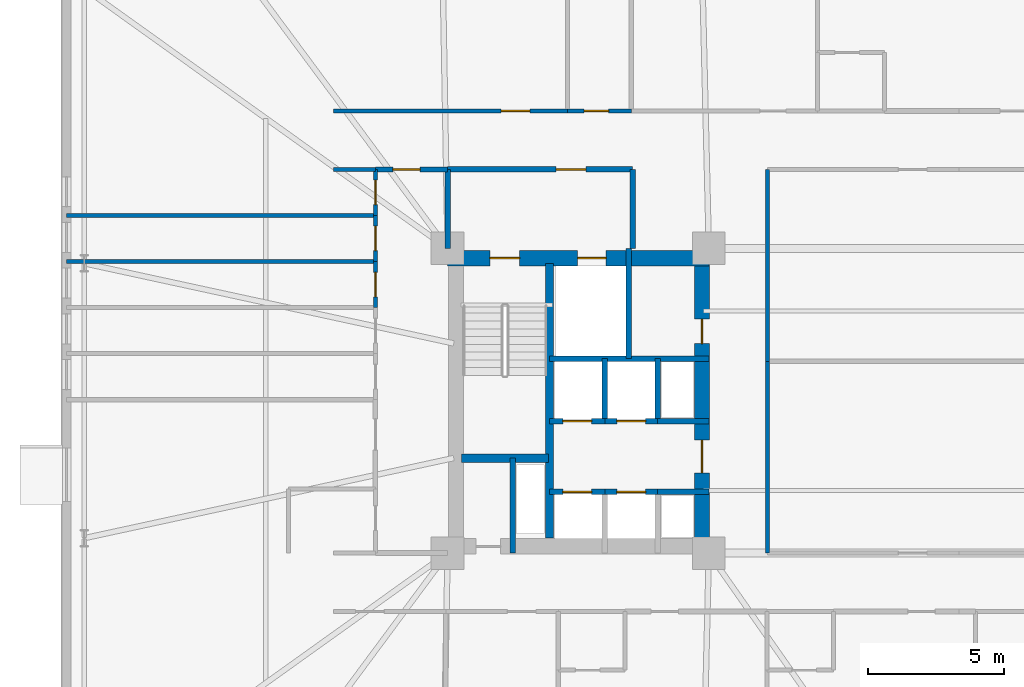
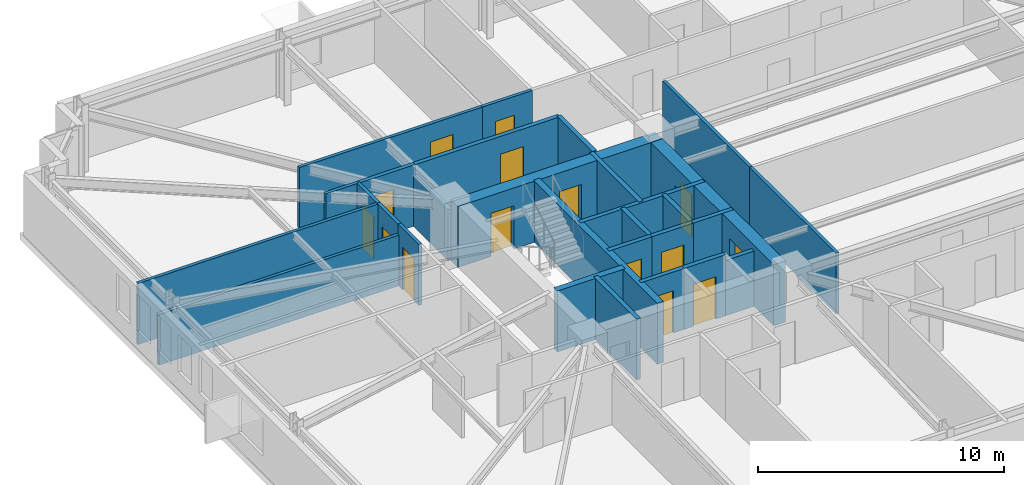
# One storey, part 15 of 21: 29 walls, 15 doors, 15 openings.
"""IFC4 building model written with IfcOpenShell, lengths in metres."""

from ifc_helpers import new_model, si_unit, direction, frame, frame_2d, origin, place, context, subcontext, project, spatial, rectangle, extrude, material, layer, layer_set, type_object, element, fill, save


model = new_model("IFC4")

# Units and contexts
model_context = context("Model", 3, precision=1e-05, world=origin(), true_north=direction((0.0, 1.0)))
body_context = subcontext(model_context, "Body", "Model", "MODEL_VIEW")
ifc_project = project(units=[si_unit("LENGTHUNIT", "METRE"), si_unit("AREAUNIT", "SQUARE_METRE"), si_unit("VOLUMEUNIT", "CUBIC_METRE"), si_unit("PLANEANGLEUNIT", "RADIAN"), si_unit("MASSUNIT", "GRAM", prefix="KILO")], contexts=[model_context])

# Site, building, storey
site_placement = place(None, origin())
site = spatial("IfcSite", under=ifc_project, at=site_placement, CompositionType="ELEMENT")
building_placement = place(site_placement, origin())
building = spatial("IfcBuilding", under=site, at=building_placement, Name="Qobustan Lattice House", CompositionType="ELEMENT")
storey_placement = place(building_placement, frame((0.0, 0.0, 37.050048828125)))
storey = spatial("IfcBuildingStorey", under=building, at=storey_placement, Name="L09", CompositionType="ELEMENT", Elevation=37.050048828125)

# Wall, openings, doors
ifc_material_1 = material(Name="Concrete C60/75", Category="concrete")
ifc_layer_1 = layer(ifc_material_1, 0.56005859375)
ifc_layer_set_1 = layer_set([ifc_layer_1], Name="Concrete C60/75")
wall_type_1 = type_object("IfcWallType", Name="WAL-CORE-600", PredefinedType="SHEAR", material=ifc_layer_set_1)
wall_1_placement = place(storey_placement, frame((-18.800048828125, 5.239990234375, 0.0), z_axis=(0.0, 0.0, 1.0), x_axis=(1.0, 0.0, 0.0)))
wall_1 = element("IfcWall", 1, at=wall_1_placement, inside=storey, type_object=wall_type_1, Name="L09 split-core shear wall CW-N", PredefinedType="SHEAR", context=body_context, shape_type="SweptSolid", body=[
    extrude(rectangle(XDim=9.60009765625, YDim=0.56005859375, at=frame_2d((4.800048828125, 0.0))), origin(), (0.0, 0.0, 1.0), 3.034912109375),
])
opening_1_placement = place(wall_1_placement, frame((1.550048828125, 0.0, 0.0)))
opening_1 = element("IfcOpeningElement", 2, at=opening_1_placement, cuts=wall_1, Name="Opening SD-01", PredefinedType="OPENING", context=body_context, shape_type="SweptSolid", body=[
    extrude(rectangle(XDim=1.10009765625, YDim=2.14990234375, at=frame_2d((0.550048828125, 1.074951171875))), frame((0.0, 0.2900390625, 0.0), z_axis=(0.0, -1.0, 0.0), x_axis=(1.0, 0.0, 0.0)), (0.0, 0.0, 1.0), 0.580078125),
])
opening_2_placement = place(wall_1_placement, frame((4.77490234375, 0.0, 0.0)))
opening_2 = element("IfcOpeningElement", 3, at=opening_2_placement, cuts=wall_1, Name="Opening LD-01", PredefinedType="OPENING", context=body_context, shape_type="SweptSolid", body=[
    extrude(rectangle(XDim=1.050048828125, YDim=2.10009765625, at=frame_2d((0.52490234375, 1.050048828125))), frame((0.0, 0.2900390625, 0.0), z_axis=(0.0, -1.0, 0.0), x_axis=(1.0, 0.0, 0.0)), (0.0, 0.0, 1.0), 0.580078125),
])
ifc_material_2 = material(Name="Persian walnut timber and steel frame door", Category="steel")
door_type_1 = type_object("IfcDoorType", Name="DOR-LIFT-LD-1050x2100", OperationType="NOTDEFINED", PredefinedType="DOOR", material=ifc_material_2)
door_1_placement = place(opening_2_placement, origin())
door_1 = element("IfcDoor", 4, at=door_1_placement, inside=storey, type_object=door_type_1, Name="L09 firefighting lift FF-W landing door", OperationType="DOUBLE_DOOR_SLIDING", OverallHeight=2.10009765625, OverallWidth=1.050048828125, PredefinedType="DOOR", context=body_context, shape_type="SweptSolid", body=[
    extrude(rectangle(XDim=1.050048828125, YDim=2.10009765625, at=frame_2d((0.52490234375, 1.050048828125))), frame((0.0, 0.02490234375, 0.0), z_axis=(0.0, -1.0, 0.0), x_axis=(1.0, 0.0, 0.0)), (0.0, 0.0, 1.0), 0.050048828125),
])
fill(opening_2, door_1)
ifc_material_3 = material(Name="Persian walnut timber and steel frame door", Category="steel")
door_type_2 = type_object("IfcDoorType", Name="DOR-STAIR-FD-1100x2150", OperationType="NOTDEFINED", PredefinedType="DOOR", material=ifc_material_3)
door_2_placement = place(opening_1_placement, origin())
door_2 = element("IfcDoor", 5, at=door_2_placement, inside=storey, type_object=door_type_2, Name="L09 exit stair ST-W1 fire door", OperationType="SINGLE_SWING_LEFT", OverallHeight=2.14990234375, OverallWidth=1.10009765625, PredefinedType="DOOR", context=body_context, shape_type="SweptSolid", body=[
    extrude(rectangle(XDim=1.10009765625, YDim=2.14990234375, at=frame_2d((0.550048828125, 1.074951171875))), frame((0.0, 0.02490234375, 0.0), z_axis=(0.0, -1.0, 0.0), x_axis=(1.0, 0.0, 0.0)), (0.0, 0.0, 1.0), 0.050048828125),
])
fill(opening_1, door_2)

wall_2_placement = place(storey_placement, frame((-9.449951171875, -5.050048828125, 0.0), z_axis=(0.0, 0.0, 1.0), x_axis=(0.0, 1.0, 0.0)))
wall_2 = element("IfcWall", 6, at=wall_2_placement, inside=storey, type_object=wall_type_1, Name="L09 split-core shear wall CW-E", PredefinedType="SHEAR", context=body_context, shape_type="SweptSolid", body=[
    extrude(rectangle(XDim=10.10009765625, YDim=0.56005859375, at=frame_2d((5.050048828125, 0.0))), origin(), (0.0, 0.0, 1.0), 3.034912109375),
])
opening_3_placement = place(wall_2_placement, frame((7.14990234375, 0.0, 0.0)))
opening_3 = element("IfcOpeningElement", 7, at=opening_3_placement, cuts=wall_2, Name="Opening RD-01", PredefinedType="OPENING", context=body_context, shape_type="SweptSolid", body=[
    extrude(rectangle(XDim=0.89990234375, YDim=2.10009765625, at=frame_2d((0.449951171875, 1.050048828125))), frame((0.0, 0.2900390625, 0.0), z_axis=(0.0, -1.0, 0.0), x_axis=(1.0, 0.0, 0.0)), (0.0, 0.0, 1.0), 0.580078125),
])
opening_4_placement = place(wall_2_placement, frame((2.39990234375, 0.0, 0.0)))
opening_4 = element("IfcOpeningElement", 8, at=opening_4_placement, cuts=wall_2, Name="Opening FD-01", PredefinedType="OPENING", context=body_context, shape_type="SweptSolid", body=[
    extrude(rectangle(XDim=1.199951171875, YDim=2.14990234375, at=frame_2d((0.60009765625, 1.074951171875))), frame((0.0, 0.2900390625, 0.0), z_axis=(0.0, -1.0, 0.0), x_axis=(1.0, 0.0, 0.0)), (0.0, 0.0, 1.0), 0.580078125),
])
ifc_material_4 = material(Name="Persian walnut timber and steel frame door", Category="steel")
door_type_3 = type_object("IfcDoorType", Name="DOR-LOBBY-FD-1200x2150", OperationType="NOTDEFINED", PredefinedType="DOOR", material=ifc_material_4)
door_3_placement = place(opening_4_placement, origin())
door_3 = element("IfcDoor", 9, at=door_3_placement, inside=storey, type_object=door_type_3, Name="L09 West passenger lift lobby fire door", OperationType="SINGLE_SWING_LEFT", OverallHeight=2.14990234375, OverallWidth=1.199951171875, PredefinedType="DOOR", context=body_context, shape_type="SweptSolid", body=[
    extrude(rectangle(XDim=1.199951171875, YDim=2.14990234375, at=frame_2d((0.60009765625, 1.074951171875))), frame((0.0, 0.02490234375, 0.0), z_axis=(0.0, -1.0, 0.0), x_axis=(1.0, 0.0, 0.0)), (0.0, 0.0, 1.0), 0.050048828125),
])
fill(opening_4, door_3)
ifc_material_5 = material(Name="Persian walnut timber and steel frame door", Category="steel")
door_type_4 = type_object("IfcDoorType", Name="DOR-RISER-FD-900x2100", OperationType="NOTDEFINED", PredefinedType="DOOR", material=ifc_material_5)
door_4_placement = place(opening_3_placement, origin())
door_4 = element("IfcDoor", 10, at=door_4_placement, inside=storey, type_object=door_type_4, Name="L09 Floor tea pantry fire door", OperationType="SINGLE_SWING_RIGHT", OverallHeight=2.10009765625, OverallWidth=0.89990234375, PredefinedType="DOOR", context=body_context, shape_type="SweptSolid", body=[
    extrude(rectangle(XDim=0.89990234375, YDim=2.10009765625, at=frame_2d((0.449951171875, 1.050048828125))), frame((0.0, 0.02490234375, 0.0), z_axis=(0.0, -1.0, 0.0), x_axis=(1.0, 0.0, 0.0)), (0.0, 0.0, 1.0), 0.050048828125),
])
fill(opening_3, door_4)

# Walls
ifc_material_6 = material(Name="Concrete C50/60", Category="concrete")
ifc_layer_2 = layer(ifc_material_6, 0.280029296875)
ifc_layer_set_2 = layer_set([ifc_layer_2], Name="Concrete C50/60")
wall_type_2 = type_object("IfcWallType", Name="WAL-CORE-SPINE-280", PredefinedType="SHEAR", material=ifc_layer_set_2)
wall_3_placement = place(storey_placement, frame((-15.050048828125, -5.050048828125, 0.0), z_axis=(0.0, 0.0, 1.0), x_axis=(0.0, 1.0, 0.0)))
element("IfcWall", 11, at=wall_3_placement, inside=storey, type_object=wall_type_2, Name="L09 split-core shear wall CW-M", PredefinedType="SHEAR", context=body_context, shape_type="SweptSolid", body=[
    extrude(rectangle(XDim=10.10009765625, YDim=0.300048828125, at=frame_2d((5.050048828125, 0.0))), origin(), (0.0, 0.0, 1.0), 3.034912109375),
])
wall_4_placement = place(storey_placement, frame((-18.280029296875, -2.110107421875, 0.0), z_axis=(0.0, 0.0, 1.0), x_axis=(1.0, 0.0, 0.0)))
element("IfcWall", 12, at=wall_4_placement, inside=storey, type_object=wall_type_2, Name="L09 split-core shear wall CW-ST", PredefinedType="SHEAR", context=body_context, shape_type="SweptSolid", body=[
    extrude(rectangle(XDim=3.179931640625, YDim=0.300048828125, at=frame_2d((1.58984375, 0.0))), origin(), (0.0, 0.0, 1.0), 3.034912109375),
])

# Wall, opening, door
ifc_material_7 = material(Name="Gypsum fireboard acoustic partition", Category="gypsum")
ifc_layer_3 = layer(ifc_material_7, 0.179931640625)
ifc_layer_set_3 = layer_set([ifc_layer_3], Name="Gypsum fireboard acoustic partition")
wall_type_3 = type_object("IfcWallType", Name="WAL-FIRE-180", PredefinedType="PARTITIONING", material=ifc_layer_set_3)
wall_5_placement = place(storey_placement, frame((-18.800048828125, 8.5, 0.0), z_axis=(0.0, 0.0, 1.0), x_axis=(-1.0, 0.0, 0.0)))
wall_5 = element("IfcWall", 13, at=wall_5_placement, inside=storey, type_object=wall_type_3, Name="L09 interior partition 37", PredefinedType="PARTITIONING", context=body_context, shape_type="SweptSolid", body=[
    extrude(rectangle(XDim=2.64990234375, YDim=0.179931640625, at=frame_2d((1.324951171875, 0.0))), origin(), (0.0, 0.0, 1.0), 3.034912109375),
])
opening_5_placement = place(wall_5_placement, frame((1.0087890625, 0.0, 0.0)))
opening_5 = element("IfcOpeningElement", 14, at=opening_5_placement, cuts=wall_5, Name="Opening FD-02", PredefinedType="OPENING", context=body_context, shape_type="SweptSolid", body=[
    extrude(rectangle(XDim=1.0, YDim=2.14990234375, at=frame_2d((0.5, 1.074951171875))), frame((0.0, 0.099853515625, 0.0), z_axis=(0.0, -1.0, 0.0), x_axis=(1.0, 0.0, 0.0)), (0.0, 0.0, 1.0), 0.199951171875),
])
ifc_material_8 = material(Name="Persian walnut timber and steel frame door", Category="steel")
door_type_5 = type_object("IfcDoorType", Name="DOR-UNIT-FD-1000x2150", OperationType="NOTDEFINED", PredefinedType="DOOR", material=ifc_material_8)
door_5_placement = place(opening_5_placement, origin())
door_5 = element("IfcDoor", 15, at=door_5_placement, inside=storey, type_object=door_type_5, Name="L09 North-west floor corridor to Residence entrance hall L09W door", OperationType="SINGLE_SWING_RIGHT", OverallHeight=2.14990234375, OverallWidth=1.0, PredefinedType="DOOR", context=body_context, shape_type="SweptSolid", body=[
    extrude(rectangle(XDim=1.0, YDim=2.14990234375, at=frame_2d((0.5, 1.074951171875))), frame((0.0, 0.02490234375, 0.0), z_axis=(0.0, -1.0, 0.0), x_axis=(1.0, 0.0, 0.0)), (0.0, 0.0, 1.0), 0.050048828125),
])
fill(opening_5, door_5)

# Wall
ifc_material_9 = material(Name="Acoustic twin-stud gypsum partition", Category="gypsum")
ifc_layer_4 = layer(ifc_material_9, 0.14990234375)
ifc_layer_set_4 = layer_set([ifc_layer_4], Name="Acoustic twin-stud gypsum partition")
wall_type_4 = type_object("IfcWallType", Name="WAL-PART-150", PredefinedType="PARTITIONING", material=ifc_layer_set_4)
wall_6_placement = place(storey_placement, frame((-21.449951171875, 8.5, 0.0), z_axis=(0.0, 0.0, 1.0), x_axis=(-1.0, 0.0, 0.0)))
element("IfcWall", 16, at=wall_6_placement, inside=storey, type_object=wall_type_4, Name="L09 interior partition 38", PredefinedType="PARTITIONING", context=body_context, shape_type="SweptSolid", body=[
    extrude(rectangle(XDim=1.550048828125, YDim=0.14990234375, at=frame_2d((0.77490234375, 0.0))), origin(), (0.0, 0.0, 1.0), 3.034912109375),
])

# Wall, opening, door
wall_7_placement = place(storey_placement, frame((-23.0, 10.64990234375, 0.0), z_axis=(0.0, 0.0, 1.0), x_axis=(1.0, 0.0, 0.0)))
wall_7 = element("IfcWall", 17, at=wall_7_placement, inside=storey, type_object=wall_type_4, Name="L09 interior partition 39", PredefinedType="PARTITIONING", context=body_context, shape_type="SweptSolid", body=[
    extrude(rectangle(XDim=8.60009765625, YDim=0.14990234375, at=frame_2d((4.300048828125, 0.0))), origin(), (0.0, 0.0, 1.0), 3.034912109375),
])
opening_6_placement = place(wall_7_placement, frame((6.171142578125, 0.0, 0.0)))
opening_6 = element("IfcOpeningElement", 18, at=opening_6_placement, cuts=wall_7, Name="Opening ID-02", PredefinedType="OPENING", context=body_context, shape_type="SweptSolid", body=[
    extrude(rectangle(XDim=1.050048828125, YDim=2.14990234375, at=frame_2d((0.52490234375, 1.074951171875))), frame((0.0, 0.0849609375, 0.0), z_axis=(0.0, -1.0, 0.0), x_axis=(1.0, 0.0, 0.0)), (0.0, 0.0, 1.0), 0.169921875),
])
ifc_material_10 = material(Name="Persian walnut timber and steel frame door", Category="steel")
door_type_6 = type_object("IfcDoorType", Name="DOR-STUDY-1050x2150", OperationType="NOTDEFINED", PredefinedType="DOOR", material=ifc_material_10)
door_6_placement = place(opening_6_placement, origin())
door_6 = element("IfcDoor", 19, at=door_6_placement, inside=storey, type_object=door_type_6, Name="L09 North-west floor corridor to Focus study room N1 door", OperationType="SINGLE_SWING_LEFT", OverallHeight=2.14990234375, OverallWidth=1.050048828125, PredefinedType="DOOR", context=body_context, shape_type="SweptSolid", body=[
    extrude(rectangle(XDim=1.050048828125, YDim=2.14990234375, at=frame_2d((0.52490234375, 1.074951171875))), frame((0.0, 0.02490234375, 0.0), z_axis=(0.0, -1.0, 0.0), x_axis=(1.0, 0.0, 0.0)), (0.0, 0.0, 1.0), 0.050048828125),
])
fill(opening_6, door_6)

# Walls
for number, where, z_axis, x_axis, name in (
    (20, (-7.050048828125, 1.449951171875, 0.0), (0.0, 0.0, 1.0), (0.0, -1.0, 0.0), "L09 interior partition 73"),
    (21, (-7.050048828125, 8.5, 0.0), (0.0, 0.0, 1.0), (0.0, -1.0, 0.0), "L09 interior partition 74"),
):
    element("IfcWall", number, at=place(storey_placement, frame(where, z_axis=z_axis, x_axis=x_axis)), inside=storey, type_object=wall_type_4, Name=name, PredefinedType="PARTITIONING", context=body_context, shape_type="SweptSolid", body=[
        extrude(rectangle(XDim=7.050048828125, YDim=0.14990234375, at=frame_2d((3.52490234375, 0.0))), origin(), (0.0, 0.0, 1.0), 3.034912109375),
    ])

# Wall, opening, door
wall_8_placement = place(storey_placement, frame((-21.449951171875, 3.424072265625, 0.0), z_axis=(0.0, 0.0, 1.0), x_axis=(0.0, 1.0, 0.0)))
wall_8 = element("IfcWall", 22, at=wall_8_placement, inside=storey, type_object=wall_type_4, Name="L09 interior partition 81", PredefinedType="PARTITIONING", context=body_context, shape_type="SweptSolid", body=[
    extrude(rectangle(XDim=1.69189453125, YDim=0.14990234375, at=frame_2d((0.845947265625, 0.0))), origin(), (0.0, 0.0, 1.0), 3.034912109375),
])
opening_7_placement = place(wall_8_placement, frame((0.39599609375, 0.0, 0.0)))
opening_7 = element("IfcOpeningElement", 23, at=opening_7_placement, cuts=wall_8, Name="Opening WD-01", PredefinedType="OPENING", context=body_context, shape_type="SweptSolid", body=[
    extrude(rectangle(XDim=0.89990234375, YDim=2.10009765625, at=frame_2d((0.449951171875, 1.050048828125))), frame((0.0, 0.0849609375, 0.0), z_axis=(0.0, -1.0, 0.0), x_axis=(1.0, 0.0, 0.0)), (0.0, 0.0, 1.0), 0.169921875),
])
ifc_material_11 = material(Name="Persian walnut timber and steel frame door", Category="steel")
door_type_7 = type_object("IfcDoorType", Name="DOR-WET-900x2100", OperationType="NOTDEFINED", PredefinedType="DOOR", material=ifc_material_11)
door_7_placement = place(opening_7_placement, origin())
door_7 = element("IfcDoor", 24, at=door_7_placement, inside=storey, type_object=door_type_7, Name="L09 Residence entrance hall L09W to Cluster bedroom L09W3 door", OperationType="SINGLE_SWING_LEFT", OverallHeight=2.10009765625, OverallWidth=0.89990234375, PredefinedType="DOOR", context=body_context, shape_type="SweptSolid", body=[
    extrude(rectangle(XDim=0.89990234375, YDim=2.10009765625, at=frame_2d((0.449951171875, 1.050048828125))), frame((0.0, 0.02490234375, 0.0), z_axis=(0.0, -1.0, 0.0), x_axis=(1.0, 0.0, 0.0)), (0.0, 0.0, 1.0), 0.050048828125),
])
fill(opening_7, door_7)

wall_9_placement = place(storey_placement, frame((-21.449951171875, 5.115966796875, 0.0), z_axis=(0.0, 0.0, 1.0), x_axis=(0.0, 1.0, 0.0)))
wall_9 = element("IfcWall", 25, at=wall_9_placement, inside=storey, type_object=wall_type_4, Name="L09 interior partition 82", PredefinedType="PARTITIONING", context=body_context, shape_type="SweptSolid", body=[
    extrude(rectangle(XDim=1.692138671875, YDim=0.14990234375, at=frame_2d((0.84619140625, 0.0))), origin(), (0.0, 0.0, 1.0), 3.034912109375),
])
opening_8_placement = place(wall_9_placement, frame((0.39599609375, 0.0, 0.0)))
opening_8 = element("IfcOpeningElement", 26, at=opening_8_placement, cuts=wall_9, Name="Opening WD-01", PredefinedType="OPENING", context=body_context, shape_type="SweptSolid", body=[
    extrude(rectangle(XDim=0.89990234375, YDim=2.10009765625, at=frame_2d((0.449951171875, 1.050048828125))), frame((0.0, 0.0849609375, 0.0), z_axis=(0.0, -1.0, 0.0), x_axis=(1.0, 0.0, 0.0)), (0.0, 0.0, 1.0), 0.169921875),
])
door_8_placement = place(opening_8_placement, origin())
door_8 = element("IfcDoor", 27, at=door_8_placement, inside=storey, type_object=door_type_7, Name="L09 Residence entrance hall L09W to Cluster bedroom L09W4 door", OperationType="SINGLE_SWING_RIGHT", OverallHeight=2.10009765625, OverallWidth=0.89990234375, PredefinedType="DOOR", context=body_context, shape_type="SweptSolid", body=[
    extrude(rectangle(XDim=0.89990234375, YDim=2.10009765625, at=frame_2d((0.449951171875, 1.050048828125))), frame((0.0, 0.02490234375, 0.0), z_axis=(0.0, -1.0, 0.0), x_axis=(1.0, 0.0, 0.0)), (0.0, 0.0, 1.0), 0.050048828125),
])
fill(opening_8, door_8)

wall_10_placement = place(storey_placement, frame((-21.449951171875, 6.80810546875, 0.0), z_axis=(0.0, 0.0, 1.0), x_axis=(0.0, 1.0, 0.0)))
wall_10 = element("IfcWall", 28, at=wall_10_placement, inside=storey, type_object=wall_type_4, Name="L09 interior partition 83", PredefinedType="PARTITIONING", context=body_context, shape_type="SweptSolid", body=[
    extrude(rectangle(XDim=1.69189453125, YDim=0.14990234375, at=frame_2d((0.845947265625, 0.0))), origin(), (0.0, 0.0, 1.0), 3.034912109375),
])
opening_9_placement = place(wall_10_placement, frame((0.39599609375, 0.0, 0.0)))
opening_9 = element("IfcOpeningElement", 29, at=opening_9_placement, cuts=wall_10, Name="Opening WD-01", PredefinedType="OPENING", context=body_context, shape_type="SweptSolid", body=[
    extrude(rectangle(XDim=0.89990234375, YDim=2.10009765625, at=frame_2d((0.449951171875, 1.050048828125))), frame((0.0, 0.0849609375, 0.0), z_axis=(0.0, -1.0, 0.0), x_axis=(1.0, 0.0, 0.0)), (0.0, 0.0, 1.0), 0.169921875),
])
door_9_placement = place(opening_9_placement, origin())
door_9 = element("IfcDoor", 30, at=door_9_placement, inside=storey, type_object=door_type_7, Name="L09 Residence entrance hall L09W to Cluster bedroom L09W5 door", OperationType="SINGLE_SWING_LEFT", OverallHeight=2.10009765625, OverallWidth=0.89990234375, PredefinedType="DOOR", context=body_context, shape_type="SweptSolid", body=[
    extrude(rectangle(XDim=0.89990234375, YDim=2.10009765625, at=frame_2d((0.449951171875, 1.050048828125))), frame((0.0, 0.02490234375, 0.0), z_axis=(0.0, -1.0, 0.0), x_axis=(1.0, 0.0, 0.0)), (0.0, 0.0, 1.0), 0.050048828125),
])
fill(opening_9, door_9)

# Walls
wall_11_placement = place(storey_placement, frame((-32.800048828125, 5.115966796875, 0.0), z_axis=(0.0, 0.0, 1.0), x_axis=(1.0, 0.0, 0.0)))
element("IfcWall", 31, at=wall_11_placement, inside=storey, type_object=wall_type_4, Name="L09 interior partition 89", PredefinedType="PARTITIONING", context=body_context, shape_type="SweptSolid", body=[
    extrude(rectangle(XDim=11.35009765625, YDim=0.14990234375, at=frame_2d((5.675048828125, 0.0))), origin(), (0.0, 0.0, 1.0), 2.52001953125),
])
wall_12_placement = place(storey_placement, frame((-32.800048828125, 6.80810546875, 0.0), z_axis=(0.0, 0.0, 1.0), x_axis=(1.0, 0.0, 0.0)))
element("IfcWall", 32, at=wall_12_placement, inside=storey, type_object=wall_type_4, Name="L09 interior partition 90", PredefinedType="PARTITIONING", context=body_context, shape_type="SweptSolid", body=[
    extrude(rectangle(XDim=11.35009765625, YDim=0.14990234375, at=frame_2d((5.675048828125, 0.0))), origin(), (0.0, 0.0, 1.0), 3.034912109375),
])

# Wall, opening, door
ifc_material_12 = material(Name="Two-hour gypsum fireboard acoustic partition", Category="gypsum")
ifc_layer_5 = layer(ifc_material_12, 0.199951171875)
ifc_layer_set_5 = layer_set([ifc_layer_5], Name="Two-hour gypsum fireboard acoustic partition")
wall_type_5 = type_object("IfcWallType", Name="WAL-PROT-200", PredefinedType="PARTITIONING", material=ifc_layer_set_5)
wall_13_placement = place(storey_placement, frame((-12.0, 8.5, 0.0), z_axis=(0.0, 0.0, 1.0), x_axis=(-1.0, 0.0, 0.0)))
wall_13 = element("IfcWall", 33, at=wall_13_placement, inside=storey, type_object=wall_type_5, Name="L09 interior partition 3", PredefinedType="PARTITIONING", context=body_context, shape_type="SweptSolid", body=[
    extrude(rectangle(XDim=6.800048828125, YDim=0.199951171875, at=frame_2d((3.39990234375, 0.0))), origin(), (0.0, 0.0, 1.0), 3.034912109375),
])
opening_10_placement = place(wall_13_placement, frame((1.715087890625, 0.0, 0.0)))
opening_10 = element("IfcOpeningElement", 34, at=opening_10_placement, cuts=wall_13, Name="Opening SD-01", PredefinedType="OPENING", context=body_context, shape_type="SweptSolid", body=[
    extrude(rectangle(XDim=1.10009765625, YDim=2.14990234375, at=frame_2d((0.550048828125, 1.074951171875))), frame((0.0, 0.10986328125, 0.0), z_axis=(0.0, -1.0, 0.0), x_axis=(1.0, 0.0, 0.0)), (0.0, 0.0, 1.0), 0.219970703125),
])
door_10_placement = place(opening_10_placement, origin())
door_10 = element("IfcDoor", 35, at=door_10_placement, inside=storey, type_object=door_type_2, Name="L09 West firefighting lift lobby to North-west floor corridor door", OperationType="SINGLE_SWING_LEFT", OverallHeight=2.14990234375, OverallWidth=1.10009765625, PredefinedType="DOOR", context=body_context, shape_type="SweptSolid", body=[
    extrude(rectangle(XDim=1.10009765625, YDim=2.14990234375, at=frame_2d((0.550048828125, 1.074951171875))), frame((0.0, 0.02490234375, 0.0), z_axis=(0.0, -1.0, 0.0), x_axis=(1.0, 0.0, 0.0)), (0.0, 0.0, 1.0), 0.050048828125),
])
fill(opening_10, door_10)

# Walls
wall_14_placement = place(storey_placement, frame((-12.0, 5.60009765625, 0.0), z_axis=(0.0, 0.0, 1.0), x_axis=(0.0, 1.0, 0.0)))
element("IfcWall", 36, at=wall_14_placement, inside=storey, type_object=wall_type_5, Name="L09 interior partition 4", PredefinedType="PARTITIONING", context=body_context, shape_type="SweptSolid", body=[
    extrude(rectangle(XDim=2.89990234375, YDim=0.199951171875, at=frame_2d((1.449951171875, 0.0))), origin(), (0.0, 0.0, 1.0), 3.034912109375),
])
wall_15_placement = place(storey_placement, frame((-18.800048828125, 8.5, 0.0), z_axis=(0.0, 0.0, 1.0), x_axis=(0.0, -1.0, 0.0)))
element("IfcWall", 37, at=wall_15_placement, inside=storey, type_object=wall_type_5, Name="L09 interior partition 5", PredefinedType="PARTITIONING", context=body_context, shape_type="SweptSolid", body=[
    extrude(rectangle(XDim=2.89990234375, YDim=0.199951171875, at=frame_2d((1.449951171875, 0.0))), origin(), (0.0, 0.0, 1.0), 2.52001953125),
])
ifc_material_13 = material(Name="Concrete C40/50", Category="concrete")
ifc_layer_6 = layer(ifc_material_13, 0.199951171875)
ifc_layer_set_6 = layer_set([ifc_layer_6], Name="Concrete C40/50")
wall_type_6 = type_object("IfcWallType", Name="WAL-SHAFT-200", PredefinedType="PARTITIONING", material=ifc_layer_set_6)
wall_16_placement = place(storey_placement, frame((-16.39990234375, -5.60009765625, 0.0), z_axis=(0.0, 0.0, 1.0), x_axis=(0.0, 1.0, 0.0)))
element("IfcWall", 38, at=wall_16_placement, inside=storey, type_object=wall_type_6, Name="L09 interior partition 1", PredefinedType="PARTITIONING", context=body_context, shape_type="SweptSolid", body=[
    extrude(rectangle(XDim=3.489990234375, YDim=0.199951171875, at=frame_2d((1.7451171875, 0.0))), origin(), (0.0, 0.0, 1.0), 3.034912109375),
])
wall_17_placement = place(storey_placement, frame((-12.14990234375, 1.550048828125, 0.0), z_axis=(0.0, 0.0, 1.0), x_axis=(0.0, 1.0, 0.0)))
element("IfcWall", 39, at=wall_17_placement, inside=storey, type_object=wall_type_6, Name="L09 interior partition 2", PredefinedType="PARTITIONING", context=body_context, shape_type="SweptSolid", body=[
    extrude(rectangle(XDim=4.050048828125, YDim=0.199951171875, at=frame_2d((2.02490234375, 0.0))), origin(), (0.0, 0.0, 1.0), 3.034912109375),
])

# Wall, opening, door
wall_18_placement = place(storey_placement, frame((-15.050048828125, -3.35009765625, 0.0), z_axis=(0.0, 0.0, 1.0), x_axis=(1.0, 0.0, 0.0)))
wall_18 = element("IfcWall", 40, at=wall_18_placement, inside=storey, type_object=wall_type_6, Name="L09 interior partition 7", PredefinedType="PARTITIONING", context=body_context, shape_type="SweptSolid", body=[
    extrude(rectangle(XDim=2.030029296875, YDim=0.199951171875, at=frame_2d((1.01513671875, 0.0))), origin(), (0.0, 0.0, 1.0), 3.034912109375),
])
opening_11_placement = place(wall_18_placement, frame((0.489990234375, 0.0, 0.0)))
opening_11 = element("IfcOpeningElement", 41, at=opening_11_placement, cuts=wall_18, Name="Opening LD-01", PredefinedType="OPENING", context=body_context, shape_type="SweptSolid", body=[
    extrude(rectangle(XDim=1.050048828125, YDim=2.10009765625, at=frame_2d((0.52490234375, 1.050048828125))), frame((0.0, 0.10986328125, 0.0), z_axis=(0.0, -1.0, 0.0), x_axis=(1.0, 0.0, 0.0)), (0.0, 0.0, 1.0), 0.219970703125),
])
door_11_placement = place(opening_11_placement, origin())
door_11 = element("IfcDoor", 42, at=door_11_placement, inside=storey, type_object=door_type_1, Name="L09 lift landing door", OperationType="DOUBLE_DOOR_SLIDING", OverallHeight=2.10009765625, OverallWidth=1.050048828125, PredefinedType="DOOR", context=body_context, shape_type="SweptSolid", body=[
    extrude(rectangle(XDim=1.050048828125, YDim=2.10009765625, at=frame_2d((0.52490234375, 1.050048828125))), frame((0.0, 0.02490234375, 0.0), z_axis=(0.0, -1.0, 0.0), x_axis=(1.0, 0.0, 0.0)), (0.0, 0.0, 1.0), 0.050048828125),
])
fill(opening_11, door_11)

wall_19_placement = place(storey_placement, frame((-13.02001953125, -3.35009765625, 0.0), z_axis=(0.0, 0.0, 1.0), x_axis=(1.0, 0.0, 0.0)))
wall_19 = element("IfcWall", 43, at=wall_19_placement, inside=storey, type_object=wall_type_6, Name="L09 interior partition 8", PredefinedType="PARTITIONING", context=body_context, shape_type="SweptSolid", body=[
    extrude(rectangle(XDim=1.93994140625, YDim=0.199951171875, at=frame_2d((0.969970703125, 0.0))), origin(), (0.0, 0.0, 1.0), 3.034912109375),
])
opening_12_placement = place(wall_19_placement, frame((0.445068359375, 0.0, 0.0)))
opening_12 = element("IfcOpeningElement", 44, at=opening_12_placement, cuts=wall_19, Name="Opening LD-01", PredefinedType="OPENING", context=body_context, shape_type="SweptSolid", body=[
    extrude(rectangle(XDim=1.050048828125, YDim=2.10009765625, at=frame_2d((0.52490234375, 1.050048828125))), frame((0.0, 0.10986328125, 0.0), z_axis=(0.0, -1.0, 0.0), x_axis=(1.0, 0.0, 0.0)), (0.0, 0.0, 1.0), 0.219970703125),
])
door_12_placement = place(opening_12_placement, origin())
door_12 = element("IfcDoor", 45, at=door_12_placement, inside=storey, type_object=door_type_1, Name="L09 lift landing door", OperationType="DOUBLE_DOOR_SLIDING", OverallHeight=2.10009765625, OverallWidth=1.050048828125, PredefinedType="DOOR", context=body_context, shape_type="SweptSolid", body=[
    extrude(rectangle(XDim=1.050048828125, YDim=2.10009765625, at=frame_2d((0.52490234375, 1.050048828125))), frame((0.0, 0.02490234375, 0.0), z_axis=(0.0, -1.0, 0.0), x_axis=(1.0, 0.0, 0.0)), (0.0, 0.0, 1.0), 0.050048828125),
])
fill(opening_12, door_12)

# Wall
wall_20_placement = place(storey_placement, frame((-11.080078125, -3.35009765625, 0.0), z_axis=(0.0, 0.0, 1.0), x_axis=(1.0, 0.0, 0.0)))
element("IfcWall", 46, at=wall_20_placement, inside=storey, type_object=wall_type_6, Name="L09 interior partition 9", PredefinedType="PARTITIONING", context=body_context, shape_type="SweptSolid", body=[
    extrude(rectangle(XDim=1.880126953125, YDim=0.199951171875, at=frame_2d((0.93994140625, 0.0))), origin(), (0.0, 0.0, 1.0), 2.75),
])

# Wall, opening, door
wall_21_placement = place(storey_placement, frame((-13.02001953125, -0.75, 0.0), z_axis=(0.0, 0.0, 1.0), x_axis=(-1.0, 0.0, 0.0)))
wall_21 = element("IfcWall", 47, at=wall_21_placement, inside=storey, type_object=wall_type_6, Name="L09 interior partition 10", PredefinedType="PARTITIONING", context=body_context, shape_type="SweptSolid", body=[
    extrude(rectangle(XDim=2.030029296875, YDim=0.199951171875, at=frame_2d((1.01513671875, 0.0))), origin(), (0.0, 0.0, 1.0), 3.034912109375),
])
opening_13_placement = place(wall_21_placement, frame((0.489990234375, 0.0, 0.0)))
opening_13 = element("IfcOpeningElement", 48, at=opening_13_placement, cuts=wall_21, Name="Opening LD-01", PredefinedType="OPENING", context=body_context, shape_type="SweptSolid", body=[
    extrude(rectangle(XDim=1.050048828125, YDim=2.10009765625, at=frame_2d((0.52490234375, 1.050048828125))), frame((0.0, 0.10986328125, 0.0), z_axis=(0.0, -1.0, 0.0), x_axis=(1.0, 0.0, 0.0)), (0.0, 0.0, 1.0), 0.219970703125),
])
door_13_placement = place(opening_13_placement, origin())
door_13 = element("IfcDoor", 49, at=door_13_placement, inside=storey, type_object=door_type_1, Name="L09 lift landing door", OperationType="DOUBLE_DOOR_SLIDING", OverallHeight=2.10009765625, OverallWidth=1.050048828125, PredefinedType="DOOR", context=body_context, shape_type="SweptSolid", body=[
    extrude(rectangle(XDim=1.050048828125, YDim=2.10009765625, at=frame_2d((0.52490234375, 1.050048828125))), frame((0.0, 0.02490234375, 0.0), z_axis=(0.0, -1.0, 0.0), x_axis=(1.0, 0.0, 0.0)), (0.0, 0.0, 1.0), 0.050048828125),
])
fill(opening_13, door_13)

wall_22_placement = place(storey_placement, frame((-11.080078125, -0.75, 0.0), z_axis=(0.0, 0.0, 1.0), x_axis=(-1.0, 0.0, 0.0)))
wall_22 = element("IfcWall", 50, at=wall_22_placement, inside=storey, type_object=wall_type_6, Name="L09 interior partition 11", PredefinedType="PARTITIONING", context=body_context, shape_type="SweptSolid", body=[
    extrude(rectangle(XDim=1.93994140625, YDim=0.199951171875, at=frame_2d((0.969970703125, 0.0))), origin(), (0.0, 0.0, 1.0), 3.034912109375),
])
opening_14_placement = place(wall_22_placement, frame((0.445068359375, 0.0, 0.0)))
opening_14 = element("IfcOpeningElement", 51, at=opening_14_placement, cuts=wall_22, Name="Opening LD-01", PredefinedType="OPENING", context=body_context, shape_type="SweptSolid", body=[
    extrude(rectangle(XDim=1.050048828125, YDim=2.10009765625, at=frame_2d((0.52490234375, 1.050048828125))), frame((0.0, 0.10986328125, 0.0), z_axis=(0.0, -1.0, 0.0), x_axis=(1.0, 0.0, 0.0)), (0.0, 0.0, 1.0), 0.219970703125),
])
door_14_placement = place(opening_14_placement, origin())
door_14 = element("IfcDoor", 52, at=door_14_placement, inside=storey, type_object=door_type_1, Name="L09 lift landing door", OperationType="DOUBLE_DOOR_SLIDING", OverallHeight=2.10009765625, OverallWidth=1.050048828125, PredefinedType="DOOR", context=body_context, shape_type="SweptSolid", body=[
    extrude(rectangle(XDim=1.050048828125, YDim=2.10009765625, at=frame_2d((0.52490234375, 1.050048828125))), frame((0.0, 0.02490234375, 0.0), z_axis=(0.0, -1.0, 0.0), x_axis=(1.0, 0.0, 0.0)), (0.0, 0.0, 1.0), 0.050048828125),
])
fill(opening_14, door_14)

# Walls
wall_23_placement = place(storey_placement, frame((-9.199951171875, -0.75, 0.0), z_axis=(0.0, 0.0, 1.0), x_axis=(-1.0, 0.0, 0.0)))
element("IfcWall", 53, at=wall_23_placement, inside=storey, type_object=wall_type_6, Name="L09 interior partition 12", PredefinedType="PARTITIONING", context=body_context, shape_type="SweptSolid", body=[
    extrude(rectangle(XDim=1.880126953125, YDim=0.199951171875, at=frame_2d((0.93994140625, 0.0))), origin(), (0.0, 0.0, 1.0), 3.034912109375),
])
for number, where, z_axis, x_axis, name in (
    (54, (-13.02001953125, -0.75, 0.0), (0.0, 0.0, 1.0), (0.0, 1.0, 0.0), "L09 interior partition 16"),
    (55, (-11.080078125, -0.75, 0.0), (0.0, 0.0, 1.0), (0.0, 1.0, 0.0), "L09 interior partition 17"),
):
    element("IfcWall", number, at=place(storey_placement, frame(where, z_axis=z_axis, x_axis=x_axis)), inside=storey, type_object=wall_type_6, Name=name, PredefinedType="PARTITIONING", context=body_context, shape_type="SweptSolid", body=[
        extrude(rectangle(XDim=2.300048828125, YDim=0.199951171875, at=frame_2d((1.14990234375, 0.0))), origin(), (0.0, 0.0, 1.0), 3.034912109375),
    ])
wall_24_placement = place(storey_placement, frame((-15.050048828125, 1.550048828125, 0.0), z_axis=(0.0, 0.0, 1.0), x_axis=(1.0, 0.0, 0.0)))
element("IfcWall", 56, at=wall_24_placement, inside=storey, type_object=wall_type_6, Name="L09 interior partition 133", PredefinedType="PARTITIONING", context=body_context, shape_type="SweptSolid", body=[
    extrude(rectangle(XDim=5.85009765625, YDim=0.199951171875, at=frame_2d((2.925048828125, 0.0))), origin(), (0.0, 0.0, 1.0), 3.034912109375),
])

# Wall, opening, door
ifc_material_14 = material(Name="Moisture-resistant acoustic plumbing wall", Category="gypsum")
ifc_layer_7 = layer(ifc_material_14, 0.14990234375)
ifc_layer_set_7 = layer_set([ifc_layer_7], Name="Moisture-resistant acoustic plumbing wall")
wall_type_7 = type_object("IfcWallType", Name="WAL-WET-150", PredefinedType="PLUMBINGWALL", material=ifc_layer_set_7)
wall_25_placement = place(storey_placement, frame((-14.39990234375, 10.64990234375, 0.0), z_axis=(0.0, 0.0, 1.0), x_axis=(1.0, 0.0, 0.0)))
wall_25 = element("IfcWall", 57, at=wall_25_placement, inside=storey, type_object=wall_type_7, Name="L09 interior partition 40", PredefinedType="PLUMBINGWALL", context=body_context, shape_type="SweptSolid", body=[
    extrude(rectangle(XDim=2.349853515625, YDim=0.14990234375, at=frame_2d((1.1748046875, 0.0))), origin(), (0.0, 0.0, 1.0), 3.034912109375),
])
opening_15_placement = place(wall_25_placement, frame((0.6162109375, 0.0, 0.0)))
opening_15 = element("IfcOpeningElement", 58, at=opening_15_placement, cuts=wall_25, Name="Opening WD-01", PredefinedType="OPENING", context=body_context, shape_type="SweptSolid", body=[
    extrude(rectangle(XDim=0.89990234375, YDim=2.10009765625, at=frame_2d((0.449951171875, 1.050048828125))), frame((0.0, 0.0849609375, 0.0), z_axis=(0.0, -1.0, 0.0), x_axis=(1.0, 0.0, 0.0)), (0.0, 0.0, 1.0), 0.169921875),
])
door_15_placement = place(opening_15_placement, origin())
door_15 = element("IfcDoor", 59, at=door_15_placement, inside=storey, type_object=door_type_7, Name="L09 North-west floor corridor to Accessible WC door", OperationType="SINGLE_SWING_RIGHT", OverallHeight=2.10009765625, OverallWidth=0.89990234375, PredefinedType="DOOR", context=body_context, shape_type="SweptSolid", body=[
    extrude(rectangle(XDim=0.89990234375, YDim=2.10009765625, at=frame_2d((0.449951171875, 1.050048828125))), frame((0.0, 0.02490234375, 0.0), z_axis=(0.0, -1.0, 0.0), x_axis=(1.0, 0.0, 0.0)), (0.0, 0.0, 1.0), 0.050048828125),
])
fill(opening_15, door_15)

save(model, "model.ifc")
